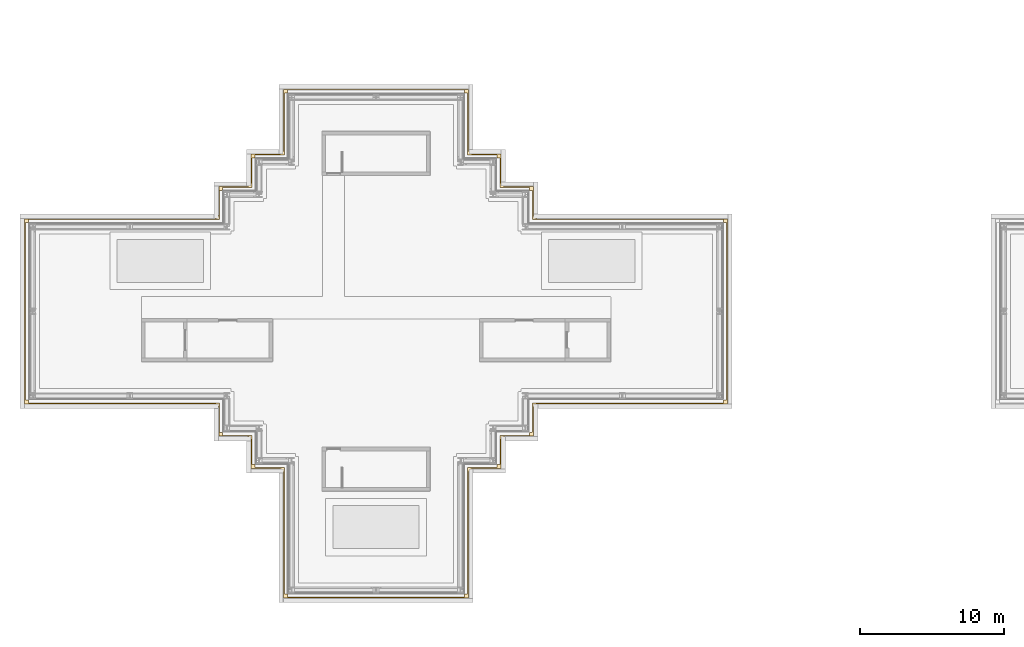
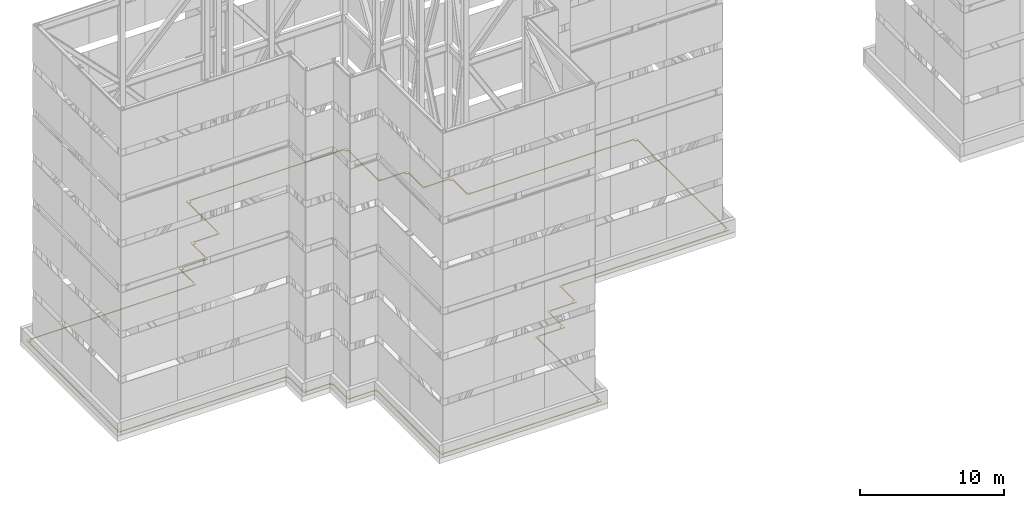
# One storey, part 13 of 19: 1 covering.
"""IFC4 building model written with IfcOpenShell, lengths in metres."""

from ifc_helpers import new_model, si_unit, direction, frame, origin, place, context, subcontext, project, spatial, polyline, outline, extrude, material, layer, layer_set, type_object, element, save


model = new_model("IFC4")

# Units and contexts
model_context = context("Model", 3, precision=1e-05, world=origin(), true_north=direction((0.0, 1.0)))
body_context = subcontext(model_context, "Body", "Model", "MODEL_VIEW")
ifc_project = project(units=[si_unit("LENGTHUNIT", "METRE"), si_unit("AREAUNIT", "SQUARE_METRE"), si_unit("VOLUMEUNIT", "CUBIC_METRE"), si_unit("PLANEANGLEUNIT", "RADIAN"), si_unit("MASSUNIT", "GRAM", prefix="KILO")], contexts=[model_context])

# Site, building, storey
site_placement = place(None, origin())
site = spatial("IfcSite", under=ifc_project, at=site_placement, CompositionType="ELEMENT")
building_placement = place(site_placement, origin())
building = spatial("IfcBuilding", under=site, at=building_placement, Name="Shamsa Quay Exchange Towers", CompositionType="ELEMENT")
storey_placement = place(building_placement, frame((0.0, 0.0, 284.300048828125)))
storey = spatial("IfcBuildingStorey", under=building, at=storey_placement, Name="Roof", CompositionType="ELEMENT", Elevation=284.300048828125)

# Covering
ifc_material = material(Name="Bituminous waterproofing membrane with ballast")
ifc_layer = layer(ifc_material, 0.06005859375)
ifc_layer_set = layer_set([ifc_layer], Name="ROOF MEMBRANE 60")
covering_type = type_object("IfcCoveringType", Name="ROOF MEMBRANE 60", PredefinedType="ROOFING", material=ifc_layer_set)
covering_placement = place(storey_placement, origin())
element("IfcCovering", 1, at=covering_placement, inside=storey, type_object=covering_type, Name="Roof membrane T1 1", PredefinedType="ROOFING", context=body_context, shape_type="SweptSolid", body=[
    extrude(outline(polyline([(-25.045654296875, -8.87744140625), (-25.05615234375, -8.9072265625), (-25.06396484375, -8.9375), (-25.068359375, -8.96875), (-25.070068359375, -9.0), (-25.070068359375, -10.929931640625), (-27.0, -10.929931640625), (-27.03125, -10.931640625), (-27.0625, -10.93603515625), (-27.0927734375, -10.94384765625), (-27.12255859375, -10.954345703125), (-27.15087890625, -10.9677734375), (-27.177734375, -10.98388671875), (-27.203125, -11.002685546875), (-27.226318359375, -11.023681640625), (-27.247314453125, -11.046875), (-27.26611328125, -11.072265625), (-27.2822265625, -11.09912109375), (-27.295654296875, -11.12744140625), (-27.30615234375, -11.1572265625), (-27.31396484375, -11.1875), (-27.318359375, -11.21875), (-27.320068359375, -11.25), (-27.320068359375, -19.929931640625), (-40.179931640625, -19.929931640625), (-40.179931640625, -11.25), (-40.181640625, -11.21875), (-40.18603515625, -11.1875), (-40.19384765625, -11.1572265625), (-40.204345703125, -11.12744140625), (-40.2177734375, -11.09912109375), (-40.23388671875, -11.072265625), (-40.252685546875, -11.046875), (-40.273681640625, -11.023681640625), (-40.296875, -11.002685546875), (-40.322265625, -10.98388671875), (-40.34912109375, -10.9677734375), (-40.37744140625, -10.954345703125), (-40.4072265625, -10.94384765625), (-40.4375, -10.93603515625), (-40.46875, -10.931640625), (-40.5, -10.929931640625), (-42.429931640625, -10.929931640625), (-42.429931640625, -9.0), (-42.431640625, -8.96875), (-42.43603515625, -8.9375), (-42.44384765625, -8.9072265625), (-42.454345703125, -8.87744140625), (-42.4677734375, -8.84912109375), (-42.48388671875, -8.822265625), (-42.502685546875, -8.796875), (-42.523681640625, -8.773681640625), (-42.546875, -8.752685546875), (-42.572265625, -8.73388671875), (-42.59912109375, -8.7177734375), (-42.62744140625, -8.704345703125), (-42.6572265625, -8.69384765625), (-42.6875, -8.68603515625), (-42.71875, -8.681640625), (-42.75, -8.679931640625), (-44.679931640625, -8.679931640625), (-44.679931640625, -6.75), (-44.681640625, -6.71875), (-44.68603515625, -6.6875), (-44.69384765625, -6.6572265625), (-44.704345703125, -6.62744140625), (-44.7177734375, -6.59912109375), (-44.73388671875, -6.572265625), (-44.752685546875, -6.546875), (-44.773681640625, -6.523681640625), (-44.796875, -6.502685546875), (-44.822265625, -6.48388671875), (-44.84912109375, -6.4677734375), (-44.87744140625, -6.454345703125), (-44.9072265625, -6.44384765625), (-44.9375, -6.43603515625), (-44.96875, -6.431640625), (-45.0, -6.429931640625), (-58.179931640625, -6.429931640625), (-58.179931640625, 6.429931640625), (-45.0, 6.429931640625), (-44.96875, 6.431640625), (-44.9375, 6.43603515625), (-44.9072265625, 6.44384765625), (-44.87744140625, 6.454345703125), (-44.84912109375, 6.4677734375), (-44.822265625, 6.48388671875), (-44.796875, 6.502685546875), (-44.773681640625, 6.523681640625), (-44.752685546875, 6.546875), (-44.73388671875, 6.572265625), (-44.7177734375, 6.59912109375), (-44.704345703125, 6.62744140625), (-44.69384765625, 6.6572265625), (-44.68603515625, 6.6875), (-44.681640625, 6.71875), (-44.679931640625, 6.75), (-44.679931640625, 8.679931640625), (-42.75, 8.679931640625), (-42.71875, 8.681640625), (-42.6875, 8.68603515625), (-42.6572265625, 8.69384765625), (-42.62744140625, 8.704345703125), (-42.59912109375, 8.7177734375), (-42.572265625, 8.73388671875), (-42.546875, 8.752685546875), (-42.523681640625, 8.773681640625), (-42.502685546875, 8.796875), (-42.48388671875, 8.822265625), (-42.4677734375, 8.84912109375), (-42.454345703125, 8.87744140625), (-42.44384765625, 8.9072265625), (-42.43603515625, 8.9375), (-42.431640625, 8.96875), (-42.429931640625, 9.0), (-42.429931640625, 10.929931640625), (-40.5, 10.929931640625), (-40.46875, 10.931640625), (-40.4375, 10.93603515625), (-40.4072265625, 10.94384765625), (-40.37744140625, 10.954345703125), (-40.34912109375, 10.9677734375), (-40.322265625, 10.98388671875), (-40.296875, 11.002685546875), (-40.273681640625, 11.023681640625), (-40.252685546875, 11.046875), (-40.23388671875, 11.072265625), (-40.2177734375, 11.09912109375), (-40.204345703125, 11.12744140625), (-40.19384765625, 11.1572265625), (-40.18603515625, 11.1875), (-40.181640625, 11.21875), (-40.179931640625, 11.25), (-40.179931640625, 15.429931640625), (-27.320068359375, 15.429931640625), (-27.320068359375, 11.25), (-27.318359375, 11.21875), (-27.31396484375, 11.1875), (-27.30615234375, 11.1572265625), (-27.295654296875, 11.12744140625), (-27.2822265625, 11.09912109375), (-27.26611328125, 11.072265625), (-27.247314453125, 11.046875), (-27.226318359375, 11.023681640625), (-27.203125, 11.002685546875), (-27.177734375, 10.98388671875), (-27.15087890625, 10.9677734375), (-27.12255859375, 10.954345703125), (-27.0927734375, 10.94384765625), (-27.0625, 10.93603515625), (-27.03125, 10.931640625), (-27.0, 10.929931640625), (-25.070068359375, 10.929931640625), (-25.070068359375, 9.0), (-25.068359375, 8.96875), (-25.06396484375, 8.9375), (-25.05615234375, 8.9072265625), (-25.045654296875, 8.87744140625), (-25.0322265625, 8.84912109375), (-25.01611328125, 8.822265625), (-24.997314453125, 8.796875), (-24.976318359375, 8.773681640625), (-24.953125, 8.752685546875), (-24.927734375, 8.73388671875), (-24.90087890625, 8.7177734375), (-24.87255859375, 8.704345703125), (-24.8427734375, 8.69384765625), (-24.8125, 8.68603515625), (-24.78125, 8.681640625), (-24.75, 8.679931640625), (-22.820068359375, 8.679931640625), (-22.820068359375, 6.75), (-22.818359375, 6.71875), (-22.81396484375, 6.6875), (-22.80615234375, 6.6572265625), (-22.795654296875, 6.62744140625), (-22.7822265625, 6.59912109375), (-22.76611328125, 6.572265625), (-22.747314453125, 6.546875), (-22.726318359375, 6.523681640625), (-22.703125, 6.502685546875), (-22.677734375, 6.48388671875), (-22.65087890625, 6.4677734375), (-22.62255859375, 6.454345703125), (-22.5927734375, 6.44384765625), (-22.5625, 6.43603515625), (-22.53125, 6.431640625), (-22.5, 6.429931640625), (-9.320068359375, 6.429931640625), (-9.320068359375, -6.429931640625), (-22.5, -6.429931640625), (-22.53125, -6.431640625), (-22.5625, -6.43603515625), (-22.5927734375, -6.44384765625), (-22.62255859375, -6.454345703125), (-22.65087890625, -6.4677734375), (-22.677734375, -6.48388671875), (-22.703125, -6.502685546875), (-22.726318359375, -6.523681640625), (-22.747314453125, -6.546875), (-22.76611328125, -6.572265625), (-22.7822265625, -6.59912109375), (-22.795654296875, -6.62744140625), (-22.80615234375, -6.6572265625), (-22.81396484375, -6.6875), (-22.818359375, -6.71875), (-22.820068359375, -6.75), (-22.820068359375, -8.679931640625), (-24.75, -8.679931640625), (-24.78125, -8.681640625), (-24.8125, -8.68603515625), (-24.8427734375, -8.69384765625), (-24.87255859375, -8.704345703125), (-24.90087890625, -8.7177734375), (-24.927734375, -8.73388671875), (-24.953125, -8.752685546875), (-24.976318359375, -8.773681640625), (-24.997314453125, -8.796875), (-25.01611328125, -8.822265625), (-25.0322265625, -8.84912109375), (-25.045654296875, -8.87744140625)]), holes=[polyline([(-23.08544921875, -8.6044921875), (-23.0849609375, -8.6025390625), (-23.084716796875, -8.6005859375), (-23.08447265625, -8.5986328125), (-23.08447265625, -8.41064453125), (-22.9013671875, -8.41064453125), (-22.8994140625, -8.410400390625), (-22.8974609375, -8.41015625), (-22.8955078125, -8.40966796875), (-22.893798828125, -8.408935546875), (-22.89208984375, -8.408203125), (-22.890380859375, -8.4072265625), (-22.888671875, -8.406005859375), (-22.88720703125, -8.40478515625), (-22.885986328125, -8.4033203125), (-22.884765625, -8.401611328125), (-22.8837890625, -8.39990234375), (-22.8828125, -8.398193359375), (-22.88232421875, -8.396240234375), (-22.8818359375, -8.39453125), (-22.881591796875, -8.392578125), (-22.88134765625, -8.390625), (-22.88134765625, -6.36865234375), (-16.8955078125, -6.36865234375), (-16.3544921875, -6.36865234375), (-9.6044921875, -6.36865234375), (-9.6025390625, -6.368408203125), (-9.6005859375, -6.3681640625), (-9.5986328125, -6.36767578125), (-9.596923828125, -6.3671875), (-9.59521484375, -6.3662109375), (-9.593505859375, -6.365234375), (-9.591796875, -6.364013671875), (-9.59033203125, -6.36279296875), (-9.589111328125, -6.361328125), (-9.587890625, -6.359619140625), (-9.5869140625, -6.35791015625), (-9.586181640625, -6.356201171875), (-9.58544921875, -6.3544921875), (-9.5849609375, -6.3525390625), (-9.584716796875, -6.3505859375), (-9.58447265625, -6.3486328125), (-9.58447265625, -6.16064453125), (-9.4013671875, -6.16064453125), (-9.3994140625, -6.160400390625), (-9.3974609375, -6.16015625), (-9.3955078125, -6.15966796875), (-9.393798828125, -6.158935546875), (-9.39208984375, -6.158203125), (-9.390380859375, -6.1572265625), (-9.388671875, -6.156005859375), (-9.38720703125, -6.15478515625), (-9.385986328125, -6.1533203125), (-9.384765625, -6.151611328125), (-9.3837890625, -6.14990234375), (-9.3828125, -6.148193359375), (-9.38232421875, -6.146240234375), (-9.3818359375, -6.14453125), (-9.381591796875, -6.142578125), (-9.38134765625, -6.140625), (-9.38134765625, -0.265625), (-9.38134765625, 0.265625), (-9.38134765625, 6.140625), (-9.381591796875, 6.142578125), (-9.3818359375, 6.14453125), (-9.38232421875, 6.146240234375), (-9.3828125, 6.148193359375), (-9.3837890625, 6.14990234375), (-9.384765625, 6.151611328125), (-9.385986328125, 6.1533203125), (-9.38720703125, 6.15478515625), (-9.388671875, 6.156005859375), (-9.390380859375, 6.1572265625), (-9.39208984375, 6.158203125), (-9.393798828125, 6.158935546875), (-9.3955078125, 6.15966796875), (-9.3974609375, 6.16015625), (-9.3994140625, 6.160400390625), (-9.4013671875, 6.16064453125), (-9.58447265625, 6.16064453125), (-9.58447265625, 6.3486328125), (-9.584716796875, 6.3505859375), (-9.5849609375, 6.3525390625), (-9.58544921875, 6.3544921875), (-9.586181640625, 6.356201171875), (-9.5869140625, 6.35791015625), (-9.587890625, 6.359619140625), (-9.589111328125, 6.361328125), (-9.59033203125, 6.36279296875), (-9.591796875, 6.364013671875), (-9.593505859375, 6.365234375), (-9.59521484375, 6.3662109375), (-9.596923828125, 6.3671875), (-9.5986328125, 6.36767578125), (-9.6005859375, 6.3681640625), (-9.6025390625, 6.368408203125), (-9.6044921875, 6.36865234375), (-16.3544921875, 6.36865234375), (-16.8955078125, 6.36865234375), (-22.88134765625, 6.36865234375), (-22.88134765625, 8.390625), (-22.881591796875, 8.392578125), (-22.8818359375, 8.39453125), (-22.88232421875, 8.396240234375), (-22.8828125, 8.398193359375), (-22.8837890625, 8.39990234375), (-22.884765625, 8.401611328125), (-22.885986328125, 8.4033203125), (-22.88720703125, 8.40478515625), (-22.888671875, 8.406005859375), (-22.890380859375, 8.4072265625), (-22.89208984375, 8.408203125), (-22.893798828125, 8.408935546875), (-22.8955078125, 8.40966796875), (-22.8974609375, 8.41015625), (-22.8994140625, 8.410400390625), (-22.9013671875, 8.41064453125), (-23.08447265625, 8.41064453125), (-23.08447265625, 8.5986328125), (-23.084716796875, 8.6005859375), (-23.0849609375, 8.6025390625), (-23.08544921875, 8.6044921875), (-23.086181640625, 8.606201171875), (-23.0869140625, 8.60791015625), (-23.087890625, 8.609619140625), (-23.089111328125, 8.611328125), (-23.09033203125, 8.61279296875), (-23.091796875, 8.614013671875), (-23.093505859375, 8.615234375), (-23.09521484375, 8.6162109375), (-23.096923828125, 8.6171875), (-23.0986328125, 8.61767578125), (-23.1005859375, 8.6181640625), (-23.1025390625, 8.618408203125), (-23.1044921875, 8.61865234375), (-25.13134765625, 8.61865234375), (-25.13134765625, 10.640625), (-25.131591796875, 10.642578125), (-25.1318359375, 10.64453125), (-25.13232421875, 10.646240234375), (-25.1328125, 10.648193359375), (-25.1337890625, 10.64990234375), (-25.134765625, 10.651611328125), (-25.135986328125, 10.6533203125), (-25.13720703125, 10.65478515625), (-25.138671875, 10.656005859375), (-25.140380859375, 10.6572265625), (-25.14208984375, 10.658203125), (-25.143798828125, 10.658935546875), (-25.1455078125, 10.65966796875), (-25.1474609375, 10.66015625), (-25.1494140625, 10.660400390625), (-25.1513671875, 10.66064453125), (-25.33447265625, 10.66064453125), (-25.33447265625, 10.8486328125), (-25.334716796875, 10.8505859375), (-25.3349609375, 10.8525390625), (-25.33544921875, 10.8544921875), (-25.336181640625, 10.856201171875), (-25.3369140625, 10.85791015625), (-25.337890625, 10.859619140625), (-25.339111328125, 10.861328125), (-25.34033203125, 10.86279296875), (-25.341796875, 10.864013671875), (-25.343505859375, 10.865234375), (-25.34521484375, 10.8662109375), (-25.346923828125, 10.8671875), (-25.3486328125, 10.86767578125), (-25.3505859375, 10.8681640625), (-25.3525390625, 10.868408203125), (-25.3544921875, 10.86865234375), (-27.38134765625, 10.86865234375), (-27.38134765625, 15.140625), (-27.381591796875, 15.142578125), (-27.3818359375, 15.14453125), (-27.38232421875, 15.146240234375), (-27.3828125, 15.148193359375), (-27.3837890625, 15.14990234375), (-27.384765625, 15.151611328125), (-27.385986328125, 15.1533203125), (-27.38720703125, 15.15478515625), (-27.388671875, 15.156005859375), (-27.390380859375, 15.1572265625), (-27.39208984375, 15.158203125), (-27.393798828125, 15.158935546875), (-27.3955078125, 15.15966796875), (-27.3974609375, 15.16015625), (-27.3994140625, 15.160400390625), (-27.4013671875, 15.16064453125), (-27.58447265625, 15.16064453125), (-27.58447265625, 15.3486328125), (-27.584716796875, 15.3505859375), (-27.5849609375, 15.3525390625), (-27.58544921875, 15.3544921875), (-27.586181640625, 15.356201171875), (-27.5869140625, 15.35791015625), (-27.587890625, 15.359619140625), (-27.589111328125, 15.361328125), (-27.59033203125, 15.36279296875), (-27.591796875, 15.364013671875), (-27.593505859375, 15.365234375), (-27.59521484375, 15.3662109375), (-27.596923828125, 15.3671875), (-27.5986328125, 15.36767578125), (-27.6005859375, 15.3681640625), (-27.6025390625, 15.368408203125), (-27.6044921875, 15.36865234375), (-33.4794921875, 15.36865234375), (-34.0205078125, 15.36865234375), (-39.8955078125, 15.36865234375), (-39.8974609375, 15.368408203125), (-39.8994140625, 15.3681640625), (-39.9013671875, 15.36767578125), (-39.903076171875, 15.3671875), (-39.90478515625, 15.3662109375), (-39.906494140625, 15.365234375), (-39.908203125, 15.364013671875), (-39.90966796875, 15.36279296875), (-39.910888671875, 15.361328125), (-39.912109375, 15.359619140625), (-39.9130859375, 15.35791015625), (-39.913818359375, 15.356201171875), (-39.91455078125, 15.3544921875), (-39.9150390625, 15.3525390625), (-39.915283203125, 15.3505859375), (-39.91552734375, 15.3486328125), (-39.91552734375, 15.16064453125), (-40.0986328125, 15.16064453125), (-40.1005859375, 15.160400390625), (-40.1025390625, 15.16015625), (-40.1044921875, 15.15966796875), (-40.106201171875, 15.158935546875), (-40.10791015625, 15.158203125), (-40.109619140625, 15.1572265625), (-40.111328125, 15.156005859375), (-40.11279296875, 15.15478515625), (-40.114013671875, 15.1533203125), (-40.115234375, 15.151611328125), (-40.1162109375, 15.14990234375), (-40.1171875, 15.148193359375), (-40.11767578125, 15.146240234375), (-40.1181640625, 15.14453125), (-40.118408203125, 15.142578125), (-40.11865234375, 15.140625), (-40.11865234375, 10.86865234375), (-42.1455078125, 10.86865234375), (-42.1474609375, 10.868408203125), (-42.1494140625, 10.8681640625), (-42.1513671875, 10.86767578125), (-42.153076171875, 10.8671875), (-42.15478515625, 10.8662109375), (-42.156494140625, 10.865234375), (-42.158203125, 10.864013671875), (-42.15966796875, 10.86279296875), (-42.160888671875, 10.861328125), (-42.162109375, 10.859619140625), (-42.1630859375, 10.85791015625), (-42.163818359375, 10.856201171875), (-42.16455078125, 10.8544921875), (-42.1650390625, 10.8525390625), (-42.165283203125, 10.8505859375), (-42.16552734375, 10.8486328125), (-42.16552734375, 10.66064453125), (-42.3486328125, 10.66064453125), (-42.3505859375, 10.660400390625), (-42.3525390625, 10.66015625), (-42.3544921875, 10.65966796875), (-42.356201171875, 10.658935546875), (-42.35791015625, 10.658203125), (-42.359619140625, 10.6572265625), (-42.361328125, 10.656005859375), (-42.36279296875, 10.65478515625), (-42.364013671875, 10.6533203125), (-42.365234375, 10.651611328125), (-42.3662109375, 10.64990234375), (-42.3671875, 10.648193359375), (-42.36767578125, 10.646240234375), (-42.3681640625, 10.64453125), (-42.368408203125, 10.642578125), (-42.36865234375, 10.640625), (-42.36865234375, 8.61865234375), (-44.3955078125, 8.61865234375), (-44.3974609375, 8.618408203125), (-44.3994140625, 8.6181640625), (-44.4013671875, 8.61767578125), (-44.403076171875, 8.6171875), (-44.40478515625, 8.6162109375), (-44.406494140625, 8.615234375), (-44.408203125, 8.614013671875), (-44.40966796875, 8.61279296875), (-44.410888671875, 8.611328125), (-44.412109375, 8.609619140625), (-44.4130859375, 8.60791015625), (-44.413818359375, 8.606201171875), (-44.41455078125, 8.6044921875), (-44.4150390625, 8.6025390625), (-44.415283203125, 8.6005859375), (-44.41552734375, 8.5986328125), (-44.41552734375, 8.41064453125), (-44.5986328125, 8.41064453125), (-44.6005859375, 8.410400390625), (-44.6025390625, 8.41015625), (-44.6044921875, 8.40966796875), (-44.606201171875, 8.408935546875), (-44.60791015625, 8.408203125), (-44.609619140625, 8.4072265625), (-44.611328125, 8.406005859375), (-44.61279296875, 8.40478515625), (-44.614013671875, 8.4033203125), (-44.615234375, 8.401611328125), (-44.6162109375, 8.39990234375), (-44.6171875, 8.398193359375), (-44.61767578125, 8.396240234375), (-44.6181640625, 8.39453125), (-44.618408203125, 8.392578125), (-44.61865234375, 8.390625), (-44.61865234375, 6.36865234375), (-50.6044921875, 6.36865234375), (-51.1455078125, 6.36865234375), (-57.8955078125, 6.36865234375), (-57.8974609375, 6.368408203125), (-57.8994140625, 6.3681640625), (-57.9013671875, 6.36767578125), (-57.903076171875, 6.3671875), (-57.90478515625, 6.3662109375), (-57.906494140625, 6.365234375), (-57.908203125, 6.364013671875), (-57.90966796875, 6.36279296875), (-57.910888671875, 6.361328125), (-57.912109375, 6.359619140625), (-57.9130859375, 6.35791015625), (-57.913818359375, 6.356201171875), (-57.91455078125, 6.3544921875), (-57.9150390625, 6.3525390625), (-57.915283203125, 6.3505859375), (-57.91552734375, 6.3486328125), (-57.91552734375, 6.16064453125), (-58.0986328125, 6.16064453125), (-58.1005859375, 6.160400390625), (-58.1025390625, 6.16015625), (-58.1044921875, 6.15966796875), (-58.106201171875, 6.158935546875), (-58.10791015625, 6.158203125), (-58.109619140625, 6.1572265625), (-58.111328125, 6.156005859375), (-58.11279296875, 6.15478515625), (-58.114013671875, 6.1533203125), (-58.115234375, 6.151611328125), (-58.1162109375, 6.14990234375), (-58.1171875, 6.148193359375), (-58.11767578125, 6.146240234375), (-58.1181640625, 6.14453125), (-58.118408203125, 6.142578125), (-58.11865234375, 6.140625), (-58.11865234375, 0.265625), (-58.11865234375, -0.265625), (-58.11865234375, -6.140625), (-58.118408203125, -6.142578125), (-58.1181640625, -6.14453125), (-58.11767578125, -6.146240234375), (-58.1171875, -6.148193359375), (-58.1162109375, -6.14990234375), (-58.115234375, -6.151611328125), (-58.114013671875, -6.1533203125), (-58.11279296875, -6.15478515625), (-58.111328125, -6.156005859375), (-58.109619140625, -6.1572265625), (-58.10791015625, -6.158203125), (-58.106201171875, -6.158935546875), (-58.1044921875, -6.15966796875), (-58.1025390625, -6.16015625), (-58.1005859375, -6.160400390625), (-58.0986328125, -6.16064453125), (-57.91552734375, -6.16064453125), (-57.91552734375, -6.3486328125), (-57.915283203125, -6.3505859375), (-57.9150390625, -6.3525390625), (-57.91455078125, -6.3544921875), (-57.913818359375, -6.356201171875), (-57.9130859375, -6.35791015625), (-57.912109375, -6.359619140625), (-57.910888671875, -6.361328125), (-57.90966796875, -6.36279296875), (-57.908203125, -6.364013671875), (-57.906494140625, -6.365234375), (-57.90478515625, -6.3662109375), (-57.903076171875, -6.3671875), (-57.9013671875, -6.36767578125), (-57.8994140625, -6.3681640625), (-57.8974609375, -6.368408203125), (-57.8955078125, -6.36865234375), (-51.1455078125, -6.36865234375), (-50.6044921875, -6.36865234375), (-44.61865234375, -6.36865234375), (-44.61865234375, -8.390625), (-44.618408203125, -8.392578125), (-44.6181640625, -8.39453125), (-44.61767578125, -8.396240234375), (-44.6171875, -8.398193359375), (-44.6162109375, -8.39990234375), (-44.615234375, -8.401611328125), (-44.614013671875, -8.4033203125), (-44.61279296875, -8.40478515625), (-44.611328125, -8.406005859375), (-44.609619140625, -8.4072265625), (-44.60791015625, -8.408203125), (-44.606201171875, -8.408935546875), (-44.6044921875, -8.40966796875), (-44.6025390625, -8.41015625), (-44.6005859375, -8.410400390625), (-44.5986328125, -8.41064453125), (-44.41552734375, -8.41064453125), (-44.41552734375, -8.5986328125), (-44.415283203125, -8.6005859375), (-44.4150390625, -8.6025390625), (-44.41455078125, -8.6044921875), (-44.413818359375, -8.606201171875), (-44.4130859375, -8.60791015625), (-44.412109375, -8.609619140625), (-44.410888671875, -8.611328125), (-44.40966796875, -8.61279296875), (-44.408203125, -8.614013671875), (-44.406494140625, -8.615234375), (-44.40478515625, -8.6162109375), (-44.403076171875, -8.6171875), (-44.4013671875, -8.61767578125), (-44.3994140625, -8.6181640625), (-44.3974609375, -8.618408203125), (-44.3955078125, -8.61865234375), (-42.36865234375, -8.61865234375), (-42.36865234375, -10.640625), (-42.368408203125, -10.642578125), (-42.3681640625, -10.64453125), (-42.36767578125, -10.646240234375), (-42.3671875, -10.648193359375), (-42.3662109375, -10.64990234375), (-42.365234375, -10.651611328125), (-42.364013671875, -10.6533203125), (-42.36279296875, -10.65478515625), (-42.361328125, -10.656005859375), (-42.359619140625, -10.6572265625), (-42.35791015625, -10.658203125), (-42.356201171875, -10.658935546875), (-42.3544921875, -10.65966796875), (-42.3525390625, -10.66015625), (-42.3505859375, -10.660400390625), (-42.3486328125, -10.66064453125), (-42.16552734375, -10.66064453125), (-42.16552734375, -10.8486328125), (-42.165283203125, -10.8505859375), (-42.1650390625, -10.8525390625), (-42.16455078125, -10.8544921875), (-42.163818359375, -10.856201171875), (-42.1630859375, -10.85791015625), (-42.162109375, -10.859619140625), (-42.160888671875, -10.861328125), (-42.15966796875, -10.86279296875), (-42.158203125, -10.864013671875), (-42.156494140625, -10.865234375), (-42.15478515625, -10.8662109375), (-42.153076171875, -10.8671875), (-42.1513671875, -10.86767578125), (-42.1494140625, -10.8681640625), (-42.1474609375, -10.868408203125), (-42.1455078125, -10.86865234375), (-40.11865234375, -10.86865234375), (-40.11865234375, -19.640625), (-40.118408203125, -19.642578125), (-40.1181640625, -19.64453125), (-40.11767578125, -19.646240234375), (-40.1171875, -19.648193359375), (-40.1162109375, -19.64990234375), (-40.115234375, -19.651611328125), (-40.114013671875, -19.6533203125), (-40.11279296875, -19.65478515625), (-40.111328125, -19.656005859375), (-40.109619140625, -19.6572265625), (-40.10791015625, -19.658203125), (-40.106201171875, -19.658935546875), (-40.1044921875, -19.65966796875), (-40.1025390625, -19.66015625), (-40.1005859375, -19.660400390625), (-40.0986328125, -19.66064453125), (-39.91552734375, -19.66064453125), (-39.91552734375, -19.8486328125), (-39.915283203125, -19.8505859375), (-39.9150390625, -19.8525390625), (-39.91455078125, -19.8544921875), (-39.913818359375, -19.856201171875), (-39.9130859375, -19.85791015625), (-39.912109375, -19.859619140625), (-39.910888671875, -19.861328125), (-39.90966796875, -19.86279296875), (-39.908203125, -19.864013671875), (-39.906494140625, -19.865234375), (-39.90478515625, -19.8662109375), (-39.903076171875, -19.8671875), (-39.9013671875, -19.86767578125), (-39.8994140625, -19.8681640625), (-39.8974609375, -19.868408203125), (-39.8955078125, -19.86865234375), (-34.0205078125, -19.86865234375), (-33.4794921875, -19.86865234375), (-27.6044921875, -19.86865234375), (-27.6025390625, -19.868408203125), (-27.6005859375, -19.8681640625), (-27.5986328125, -19.86767578125), (-27.596923828125, -19.8671875), (-27.59521484375, -19.8662109375), (-27.593505859375, -19.865234375), (-27.591796875, -19.864013671875), (-27.59033203125, -19.86279296875), (-27.589111328125, -19.861328125), (-27.587890625, -19.859619140625), (-27.5869140625, -19.85791015625), (-27.586181640625, -19.856201171875), (-27.58544921875, -19.8544921875), (-27.5849609375, -19.8525390625), (-27.584716796875, -19.8505859375), (-27.58447265625, -19.8486328125), (-27.58447265625, -19.66064453125), (-27.4013671875, -19.66064453125), (-27.3994140625, -19.660400390625), (-27.3974609375, -19.66015625), (-27.3955078125, -19.65966796875), (-27.393798828125, -19.658935546875), (-27.39208984375, -19.658203125), (-27.390380859375, -19.6572265625), (-27.388671875, -19.656005859375), (-27.38720703125, -19.65478515625), (-27.385986328125, -19.6533203125), (-27.384765625, -19.651611328125), (-27.3837890625, -19.64990234375), (-27.3828125, -19.648193359375), (-27.38232421875, -19.646240234375), (-27.3818359375, -19.64453125), (-27.381591796875, -19.642578125), (-27.38134765625, -19.640625), (-27.38134765625, -10.86865234375), (-25.3544921875, -10.86865234375), (-25.3525390625, -10.868408203125), (-25.3505859375, -10.8681640625), (-25.3486328125, -10.86767578125), (-25.346923828125, -10.8671875), (-25.34521484375, -10.8662109375), (-25.343505859375, -10.865234375), (-25.341796875, -10.864013671875), (-25.34033203125, -10.86279296875), (-25.339111328125, -10.861328125), (-25.337890625, -10.859619140625), (-25.3369140625, -10.85791015625), (-25.336181640625, -10.856201171875), (-25.33544921875, -10.8544921875), (-25.3349609375, -10.8525390625), (-25.334716796875, -10.8505859375), (-25.33447265625, -10.8486328125), (-25.33447265625, -10.66064453125), (-25.1513671875, -10.66064453125), (-25.1494140625, -10.660400390625), (-25.1474609375, -10.66015625), (-25.1455078125, -10.65966796875), (-25.143798828125, -10.658935546875), (-25.14208984375, -10.658203125), (-25.140380859375, -10.6572265625), (-25.138671875, -10.656005859375), (-25.13720703125, -10.65478515625), (-25.135986328125, -10.6533203125), (-25.134765625, -10.651611328125), (-25.1337890625, -10.64990234375), (-25.1328125, -10.648193359375), (-25.13232421875, -10.646240234375), (-25.1318359375, -10.64453125), (-25.131591796875, -10.642578125), (-25.13134765625, -10.640625), (-25.13134765625, -8.61865234375), (-23.1044921875, -8.61865234375), (-23.1025390625, -8.618408203125), (-23.1005859375, -8.6181640625), (-23.0986328125, -8.61767578125), (-23.096923828125, -8.6171875), (-23.09521484375, -8.6162109375), (-23.093505859375, -8.615234375), (-23.091796875, -8.614013671875), (-23.09033203125, -8.61279296875), (-23.089111328125, -8.611328125), (-23.087890625, -8.609619140625), (-23.0869140625, -8.60791015625), (-23.086181640625, -8.606201171875), (-23.08544921875, -8.6044921875)])]), origin(), (0.0, 0.0, 1.0), 0.06005859375),
])

save(model, "model.ifc")
